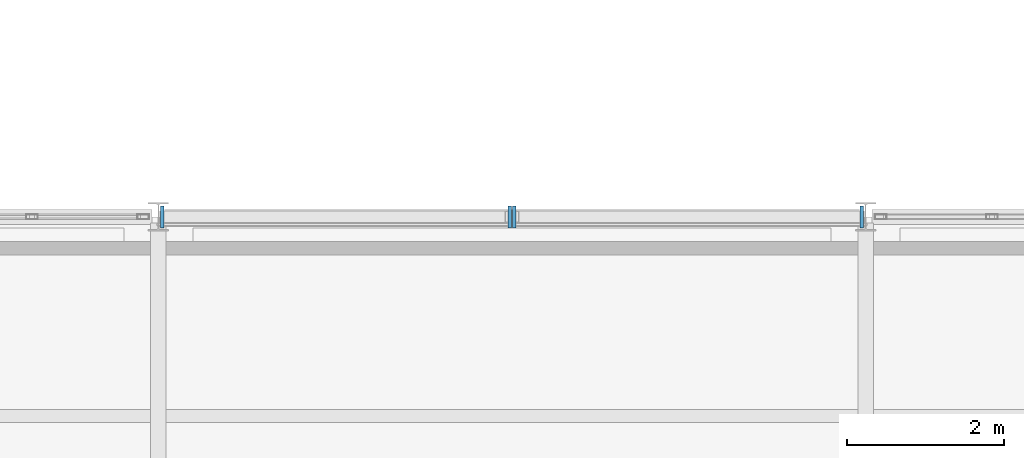
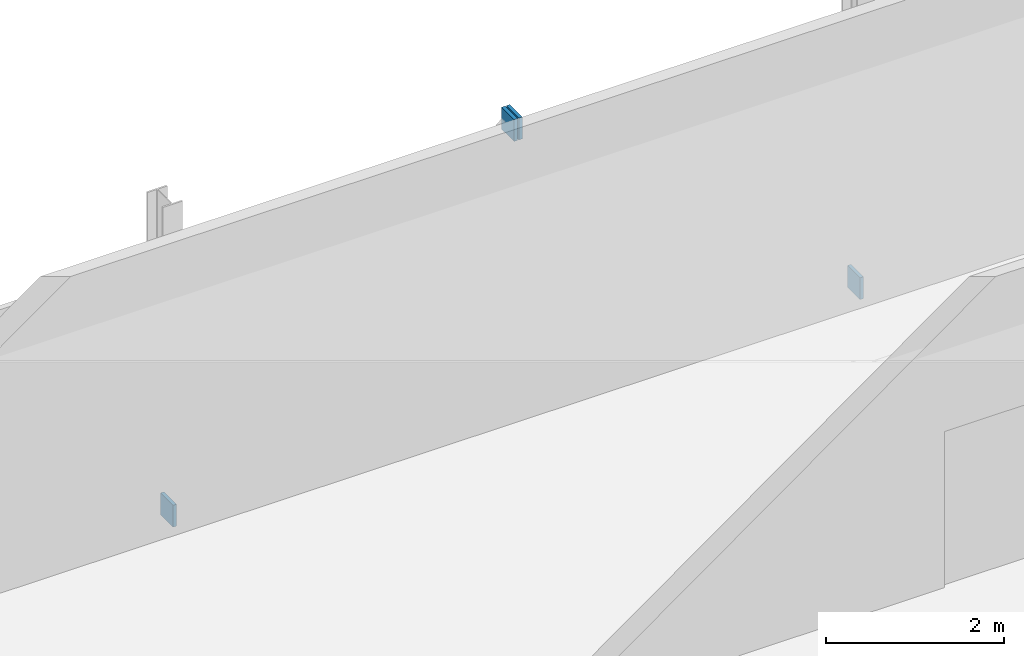
# One storey, part 76 of 96: 4 plates.
"""IFC4 building model written with IfcOpenShell, lengths in metres."""

from ifc_helpers import new_model, si_unit, direction, frame, origin, origin_2d, place, context, subcontext, project, spatial, rectangle, extrude, material, layer, layer_set, type_object, element, save


model = new_model("IFC4")

# Units and contexts
model_context = context("Model", 3, precision=1e-05, world=origin(), true_north=direction((0.0, 1.0)))
body_context = subcontext(model_context, "Body", "Model", "MODEL_VIEW")
ifc_project = project(units=[si_unit("LENGTHUNIT", "METRE"), si_unit("AREAUNIT", "SQUARE_METRE"), si_unit("VOLUMEUNIT", "CUBIC_METRE"), si_unit("PLANEANGLEUNIT", "RADIAN"), si_unit("MASSUNIT", "GRAM", prefix="KILO")], contexts=[model_context])

# Site, building, storey
site_placement = place(None, origin())
site = spatial("IfcSite", under=ifc_project, at=site_placement, CompositionType="ELEMENT")
building_placement = place(site_placement, origin())
building = spatial("IfcBuilding", under=site, at=building_placement, Name="Caisbarro Railhouse Central Library", CompositionType="ELEMENT")
storey_placement = place(building_placement, frame((0.0, 0.0, 13.679931640625)))
storey = spatial("IfcBuildingStorey", under=building, at=storey_placement, Name="L03", CompositionType="ELEMENT", Elevation=13.679931640625)

# Plates
ifc_material = material(Name="Steel ASTM A572 Grade 50", Category="steel")
ifc_layer = layer(ifc_material, 0.044921875, Name="Steel ASTM A572 Grade 50")
ifc_layer_set = layer_set([ifc_layer], Name="Steel ASTM A572 Grade 50")
plate_type = type_object("IfcPlateType", Name="PLT-EP01", PredefinedType="SHEET", material=ifc_layer_set)
for number, where, z_axis, x_axis, name in (
    (1, (72.05078125, 22.800048828125, -0.1376953125), (0.0, 0.0, 1.0), (1.0, 0.0, 0.0), "EP01 end cap plate"),
    (2, (76.46923828125, 22.800048828125, 3.59765625), (0.0, 0.0, 1.0), (1.0, 0.0, 0.0), "EP01 end cap plate"),
    (3, (80.94921875, 22.800048828125, -0.1376953125), (0.0, 0.0, 1.0), (-1.0, 0.0, 0.0), "EP01 end cap plate"),
    (4, (76.53076171875, 22.800048828125, 3.59765625), (0.0, 0.0, 1.0), (-1.0, 0.0, 0.0), "EP01 end cap plate"),
):
    element("IfcPlate", number, at=place(storey_placement, frame(where, z_axis=z_axis, x_axis=x_axis)), inside=storey, type_object=plate_type, Name=name, PredefinedType="SHEET", context=body_context, shape_type="SweptSolid", body=[
        extrude(rectangle(XDim=0.044921875, YDim=0.280029296875, at=origin_2d()), origin(), (0.0, 0.0, 1.0), 0.300048828125),
    ])

save(model, "model.ifc")
